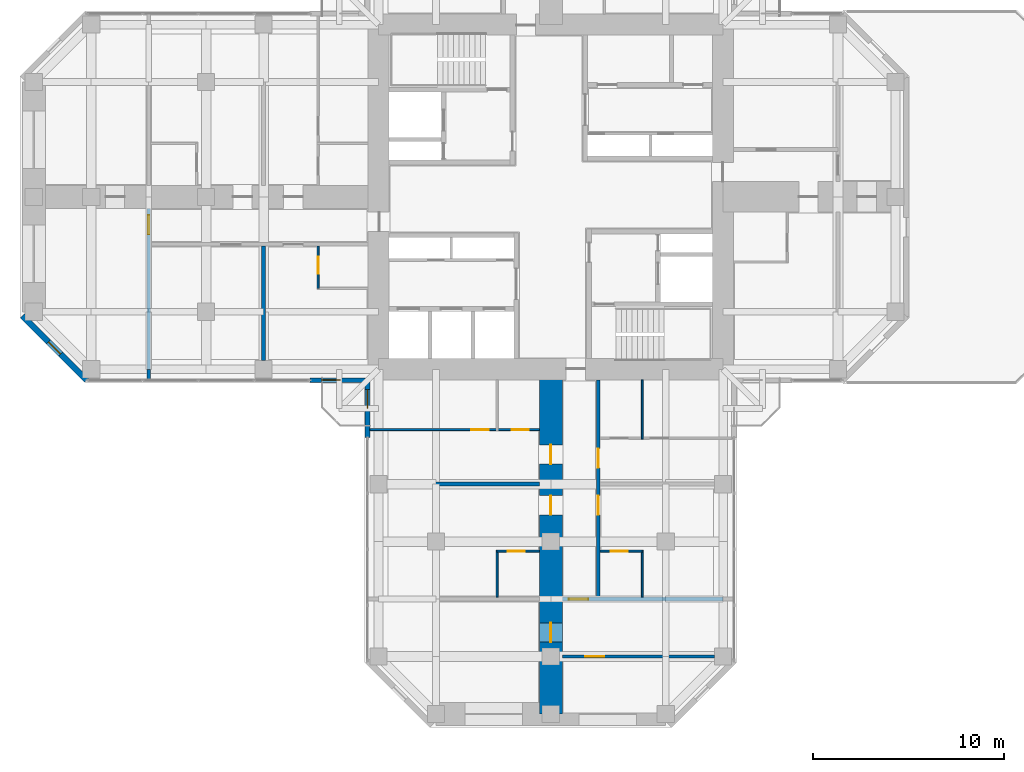
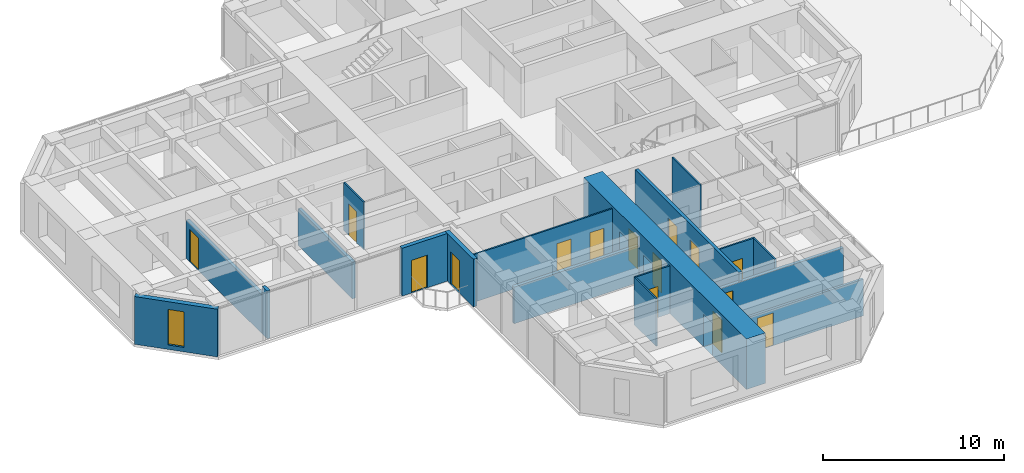
# One storey, part 8 of 14: 18 walls, 15 doors, 1 window, 16 openings.
"""IFC4 building model written with IfcOpenShell, lengths in metres."""

import ifcopenshell
import ifcopenshell.guid

model = None  # the IFC model being written
_history = None  # IfcOwnerHistory: only IFC2X3 demands one
_inside = {}  # id of a spatial element -> (the spatial element, [elements in it])
_under = {}  # id of a project, library or spatial element -> (it, [spatial elements below it])
_declared = {}  # id of a project -> (the project, [libraries it declares])
_typed = {}  # id of a type object -> (the type object, [elements of that type])
_made_of = {}  # id of a material, layer set ... -> (it, [elements and type objects made of it])


def new_model(schema):
    """Start an empty IFC model of exactly this schema.

    Asked for "IFC4X3", IfcOpenShell would pick the latest addendum, in which some entities
    have other attributes; the version numbers below select the first issue.
    IFC2X3 requires an IfcOwnerHistory on every rooted entity: one is made here for all.
    """
    global model, _history
    if schema == "IFC4X3":
        model = ifcopenshell.file(schema_version=(4, 3, 0, 0))
    else:
        model = ifcopenshell.file(schema=schema)
    _inside.clear()
    _under.clear()
    _declared.clear()
    _typed.clear()
    _made_of.clear()
    _history = None
    if model.schema == "IFC2X3":
        org = make("IfcOrganization", Name="unknown")
        user = make(
            "IfcPersonAndOrganization",
            ThePerson=make("IfcPerson", FamilyName="unknown"),
            TheOrganization=org,
        )
        app = make(
            "IfcApplication",
            ApplicationDeveloper=org,
            Version="unknown",
            ApplicationFullName="unknown",
            ApplicationIdentifier="unknown",
        )
        _history = make(
            "IfcOwnerHistory",
            OwningUser=user,
            OwningApplication=app,
            ChangeAction="ADDED",
            CreationDate=0,
        )
    return model


def make(cls, **values):
    """One entity of the class cls with the attributes given. An attribute that is None is left unset."""
    return model.create_entity(
        cls, **{name: value for name, value in values.items() if value is not None}
    )


def rooted(cls, **values):
    """An entity with a GlobalId (a new one), such as an element, a storey or a relation."""
    return make(cls, GlobalId=ifcopenshell.guid.new(), OwnerHistory=_history, **values)


def si_unit(unit_type, name, prefix=None):
    """IfcSIUnit, for example si_unit("LENGTHUNIT", "METRE", prefix="MILLI")."""
    return make("IfcSIUnit", UnitType=unit_type, Prefix=prefix, Name=name)


def assignment(units):
    """IfcUnitAssignment: the units of a project."""
    return None if units is None else make("IfcUnitAssignment", Units=units)


def point(xyz):
    """IfcCartesianPoint."""
    return None if xyz is None else make("IfcCartesianPoint", Coordinates=xyz)


def direction(xyz):
    """IfcDirection."""
    return None if xyz is None else make("IfcDirection", DirectionRatios=xyz)


def frame(location, z_axis=None, x_axis=None):
    """IfcAxis2Placement3D, a coordinate frame: its origin and axes. An axis left out is left unset."""
    return make(
        "IfcAxis2Placement3D",
        Location=point(location),
        Axis=direction(z_axis),
        RefDirection=direction(x_axis),
    )


def frame_2d(location, x_axis=None):
    """IfcAxis2Placement2D, a coordinate frame in the plane: its origin and x axis."""
    return make(
        "IfcAxis2Placement2D", Location=point(location), RefDirection=direction(x_axis)
    )


def origin():
    """The frame at (0, 0, 0) with its axes left unset."""
    return frame((0.0, 0.0, 0.0))


def place(relative_to, where):
    """IfcLocalPlacement: puts the frame where relative to a parent placement (None: the world)."""
    return make(
        "IfcLocalPlacement", PlacementRelTo=relative_to, RelativePlacement=where
    )


def context(
    kind, dimensions, precision=None, world=None, true_north=None, identifier=None
):
    """IfcGeometricRepresentationContext, for example the 3D "Model" context."""
    return make(
        "IfcGeometricRepresentationContext",
        ContextIdentifier=identifier,
        ContextType=kind,
        CoordinateSpaceDimension=dimensions,
        Precision=precision,
        WorldCoordinateSystem=world,
        TrueNorth=true_north,
    )


def subcontext(parent, identifier, kind, view, scale=None):
    """IfcGeometricRepresentationSubContext, for example "Body" below "Model"."""
    return make(
        "IfcGeometricRepresentationSubContext",
        ContextIdentifier=identifier,
        ContextType=kind,
        ParentContext=parent,
        TargetScale=scale,
        TargetView=view,
    )


def project(units=None, contexts=None):
    """IfcProject with its units and contexts."""
    return rooted(
        "IfcProject",
        Name="project",
        RepresentationContexts=contexts,
        UnitsInContext=assignment(units),
    )


def spatial(cls, under=None, at=None, **own):
    """A site, building, storey or space (cls), placed at a placement, below another one or the project."""
    s = rooted(cls, ObjectPlacement=at, **own)
    if under is not None:
        _under.setdefault(under.id(), (under, []))[1].append(s)
    return s


def profile(cls, at=None, kind="AREA", **sizes):
    """A parametric profile (cls). Its sizes go by their IFC names, for example OverallWidth=200.0."""
    return make(cls, ProfileType=kind, Position=at, **sizes)


def rectangle(**sizes):
    """IfcRectangleProfileDef."""
    return profile("IfcRectangleProfileDef", **sizes)


def hollow_rectangle(**sizes):
    """IfcRectangleHollowProfileDef."""
    return profile("IfcRectangleHollowProfileDef", **sizes)


def extrude(swept, where, along, depth):
    """IfcExtrudedAreaSolid: the profile swept, set in the frame where, extruded along a direction by depth."""
    return make(
        "IfcExtrudedAreaSolid",
        SweptArea=swept,
        Position=where,
        ExtrudedDirection=direction(along),
        Depth=depth,
    )


def shape(context_of_items, identifier, shape_type, items):
    """IfcShapeRepresentation: the items that make up one representation, for example the "Body"."""
    return make(
        "IfcShapeRepresentation",
        ContextOfItems=context_of_items,
        RepresentationIdentifier=identifier,
        RepresentationType=shape_type,
        Items=items,
    )


def material(Name=None, Category=None):
    """IfcMaterial."""
    return make("IfcMaterial", Name=Name, Category=Category)


def layer(
    of_material, thickness, ventilated=None, Name=None, Category=None, Priority=None
):
    """IfcMaterialLayer: one layer of a wall or slab, of a material (None: an air gap)."""
    return make(
        "IfcMaterialLayer",
        Material=of_material,
        LayerThickness=thickness,
        IsVentilated=ventilated,
        Name=Name,
        Category=Category,
        Priority=Priority,
    )


def layer_set(layers, Name=None):
    """IfcMaterialLayerSet."""
    return make("IfcMaterialLayerSet", MaterialLayers=layers, LayerSetName=Name)


def constituent(of_material, Name=None, Category=None, fraction=None):
    """IfcMaterialConstituent: one of the materials an element consists of."""
    return make(
        "IfcMaterialConstituent",
        Name=Name,
        Material=of_material,
        Fraction=fraction,
        Category=Category,
    )


def constituent_set(constituents=None, Name=None):
    """IfcMaterialConstituentSet."""
    return make(
        "IfcMaterialConstituentSet", Name=Name, MaterialConstituents=constituents
    )


def made_of(thing, what):
    """Note that an element or type object is made of a material, layer set ...; save() writes the relation."""
    if what is not None:
        _made_of.setdefault(what.id(), (what, []))[1].append(thing)
    return thing


def type_object(cls, material=None, **own):
    """A type object (cls), such as IfcWallType, which elements share."""
    return made_of(rooted(cls, **own), material)


def element(
    cls,
    number,
    at=None,
    inside=None,
    cuts=None,
    type_object=None,
    material=None,
    context=None,
    identifier="Body",
    shape_type=None,
    held_by="IfcProductDefinitionShape",
    body=None,
    shapes=None,
    **own,
):
    """One element of the class cls, such as IfcWall. Its Tag is "e" and its number.

    at: its placement. inside: the storey or other place that contains it. cuts: it is an
    opening in that element (IfcRelVoidsElement). A single representation is given by context,
    identifier, shape_type and body (its items); several are given by shapes. held_by: the class
    of the entity that holds the representations. save() writes the other relations.
    """
    e = rooted(cls, Tag="e%d" % number, ObjectPlacement=at, **own)
    if body is not None:
        shapes = [shape(context, identifier, shape_type, body)]
    if shapes is not None:
        e.Representation = make(held_by, Representations=shapes)
    if inside is not None:
        _inside.setdefault(inside.id(), (inside, []))[1].append(e)
    if cuts is not None:
        rooted(
            "IfcRelVoidsElement", RelatingBuildingElement=cuts, RelatedOpeningElement=e
        )
    if type_object is not None:
        _typed.setdefault(type_object.id(), (type_object, []))[1].append(e)
    return made_of(e, material)


def fill(opening, filler):
    """IfcRelFillsElement: the door or window that sits in an opening."""
    return rooted(
        "IfcRelFillsElement",
        RelatingOpeningElement=opening,
        RelatedBuildingElement=filler,
    )


def aggregate(whole, parts):
    """IfcRelAggregates: a whole, such as a stair, and the parts it consists of."""
    return rooted("IfcRelAggregates", RelatingObject=whole, RelatedObjects=parts)


def save(model, path):
    """Write the relations noted so far, then the file.

    IfcRelAggregates (storeys below a building ...), IfcRelContainedInSpatialStructure (elements
    in a storey), IfcRelDefinesByType, IfcRelAssociatesMaterial and IfcRelDeclares: one each for
    every whole, place, type object, material and project.
    """
    for whole, parts in _under.values():
        aggregate(whole, parts)
    for where, things in _inside.values():
        rooted(
            "IfcRelContainedInSpatialStructure",
            RelatedElements=things,
            RelatingStructure=where,
        )
    for kind, things in _typed.values():
        rooted("IfcRelDefinesByType", RelatedObjects=things, RelatingType=kind)
    for what, things in _made_of.values():
        rooted("IfcRelAssociatesMaterial", RelatedObjects=things, RelatingMaterial=what)
    for by, libraries in _declared.values():
        rooted("IfcRelDeclares", RelatingContext=by, RelatedDefinitions=libraries)
    model.write(path)


model = new_model("IFC4")

# Units and contexts
model_context = context("Model", 3, precision=1e-05, world=origin(), true_north=direction((0.0, 1.0)))
body_context = subcontext(model_context, "Body", "Model", "MODEL_VIEW")
ifc_project = project(units=[si_unit("LENGTHUNIT", "METRE"), si_unit("AREAUNIT", "SQUARE_METRE"), si_unit("VOLUMEUNIT", "CUBIC_METRE"), si_unit("PLANEANGLEUNIT", "RADIAN"), si_unit("MASSUNIT", "GRAM", prefix="KILO")], contexts=[model_context])

# Site, building, storey
site_placement = place(None, origin())
site = spatial("IfcSite", under=ifc_project, at=site_placement, CompositionType="ELEMENT")
building_placement = place(site_placement, origin())
building = spatial("IfcBuilding", under=site, at=building_placement, Name="Torre Cruceta", CompositionType="ELEMENT")
storey_placement = place(building_placement, frame((0.0, 0.0, 169.5)))
storey = spatial("IfcBuildingStorey", under=building, at=storey_placement, Name="L41", CompositionType="ELEMENT", Elevation=169.5)

# Wall
ifc_material_1 = material(Name="Water-resistant plasterboard on steel studs", Category="steel")
ifc_layer_1 = layer(ifc_material_1, 0.10009765625)
ifc_layer_set_1 = layer_set([ifc_layer_1], Name="Water-resistant plasterboard on steel studs")
wall_type_1 = type_object("IfcWallType", Name="BATHROOM WALL 100", PredefinedType="PARTITIONING", material=ifc_layer_set_1)
wall_1_placement = place(storey_placement, frame((4.77490234375, -9.550048828125, 0.0), z_axis=(0.0, 0.0, 1.0), x_axis=(0.0, -1.0, 0.0)))
element("IfcWall", 1, at=wall_1_placement, inside=storey, type_object=wall_type_1, Name="PT4 L41-S-U1LBB", PredefinedType="PARTITIONING", context=body_context, shape_type="SweptSolid", body=[
    extrude(rectangle(XDim=3.099853515625, YDim=0.10009765625, at=frame_2d((1.5498046875, 0.0))), origin(), (0.0, 0.0, 1.0), 3.219970703125),
])

# Wall, openings, doors
wall_2_placement = place(storey_placement, frame((-9.445068359375, -12.14990234375, 0.0), z_axis=(0.0, 0.0, 1.0), x_axis=(1.0, 0.0, 0.0)))
wall_2 = element("IfcWall", 2, at=wall_2_placement, inside=storey, type_object=wall_type_1, Name="PT4 L41-S-U1RBS", PredefinedType="PARTITIONING", context=body_context, shape_type="SweptSolid", body=[
    extrude(rectangle(XDim=8.844970703125, YDim=0.10009765625, at=frame_2d((4.42236328125, 0.0))), origin(), (0.0, 0.0, 1.0), 3.219970703125),
])
opening_1_placement = place(wall_2_placement, frame((5.294921875, 0.0, 0.0)))
opening_1 = element("IfcOpeningElement", 3, at=opening_1_placement, cuts=wall_2, Name="Opening D7", PredefinedType="OPENING", context=body_context, shape_type="SweptSolid", body=[
    extrude(rectangle(XDim=0.89990234375, YDim=2.10009765625, at=frame_2d((0.449951171875, 1.050048828125))), frame((0.0, 0.06005859375, 0.0), z_axis=(0.0, -1.0, 0.0), x_axis=(1.0, 0.0, 0.0)), (0.0, 0.0, 1.0), 0.1201171875),
])
opening_2_placement = place(wall_2_placement, frame((7.39501953125, 0.0, 0.0)))
opening_2 = element("IfcOpeningElement", 4, at=opening_2_placement, cuts=wall_2, Name="Opening D7", PredefinedType="OPENING", context=body_context, shape_type="SweptSolid", body=[
    extrude(rectangle(XDim=0.89990234375, YDim=2.10009765625, at=frame_2d((0.449951171875, 1.050048828125))), frame((0.0, 0.06005859375, 0.0), z_axis=(0.0, -1.0, 0.0), x_axis=(1.0, 0.0, 0.0)), (0.0, 0.0, 1.0), 0.1201171875),
])
ifc_material_2 = material(Name="Timber door", Category="wood")
door_type_1 = type_object("IfcDoorType", Name="BATHROOM DOOR 900X2100", OperationType="SINGLE_SWING_LEFT", PredefinedType="DOOR", material=ifc_material_2)
door_1_placement = place(opening_1_placement, origin())
door_1 = element("IfcDoor", 5, at=door_1_placement, inside=storey, type_object=door_type_1, Name="D7 L41-S-U1RBS-D1", OperationType="SINGLE_SWING_RIGHT", OverallHeight=2.10009765625, OverallWidth=0.89990234375, PredefinedType="DOOR", context=body_context, shape_type="SweptSolid", body=[
    extrude(rectangle(XDim=0.89990234375, YDim=2.10009765625, at=frame_2d((0.449951171875, 1.050048828125))), frame((0.0, 0.02490234375, 0.0), z_axis=(0.0, -1.0, 0.0), x_axis=(1.0, 0.0, 0.0)), (0.0, 0.0, 1.0), 0.050048828125),
])
fill(opening_1, door_1)
door_2_placement = place(opening_2_placement, origin())
door_2 = element("IfcDoor", 6, at=door_2_placement, inside=storey, type_object=door_type_1, Name="D7 L41-S-U1RBS-D2", OperationType="SINGLE_SWING_RIGHT", OverallHeight=2.10009765625, OverallWidth=0.89990234375, PredefinedType="DOOR", context=body_context, shape_type="SweptSolid", body=[
    extrude(rectangle(XDim=0.89990234375, YDim=2.10009765625, at=frame_2d((0.449951171875, 1.050048828125))), frame((0.0, 0.02490234375, 0.0), z_axis=(0.0, -1.0, 0.0), x_axis=(1.0, 0.0, 0.0)), (0.0, 0.0, 1.0), 0.050048828125),
])
fill(opening_2, door_2)

# Wall
wall_3_placement = place(storey_placement, frame((4.77490234375, -18.449951171875, 0.0), z_axis=(0.0, 0.0, 1.0), x_axis=(0.0, -1.0, 0.0)))
element("IfcWall", 7, at=wall_3_placement, inside=storey, type_object=wall_type_1, Name="PT4 L41-S-U2LBB", PredefinedType="PARTITIONING", context=body_context, shape_type="SweptSolid", body=[
    extrude(rectangle(XDim=2.449951171875, YDim=0.10009765625, at=frame_2d((1.22509765625, 0.0))), origin(), (0.0, 0.0, 1.0), 3.219970703125),
])

# Wall, opening, door
wall_4_placement = place(storey_placement, frame((2.574951171875, -18.5, 0.0), z_axis=(0.0, 0.0, 1.0), x_axis=(1.0, 0.0, 0.0)))
wall_4 = element("IfcWall", 8, at=wall_4_placement, inside=storey, type_object=wall_type_1, Name="PT4 L41-S-U2LBS", PredefinedType="PARTITIONING", context=body_context, shape_type="SweptSolid", body=[
    extrude(rectangle(XDim=2.199951171875, YDim=0.10009765625, at=frame_2d((1.10009765625, 0.0))), origin(), (0.0, 0.0, 1.0), 3.219970703125),
])
opening_3_placement = place(wall_4_placement, frame((0.550048828125, 0.0, 0.0)))
opening_3 = element("IfcOpeningElement", 9, at=opening_3_placement, cuts=wall_4, Name="Opening D7", PredefinedType="OPENING", context=body_context, shape_type="SweptSolid", body=[
    extrude(rectangle(XDim=0.89990234375, YDim=2.10009765625, at=frame_2d((0.449951171875, 1.050048828125))), frame((0.0, 0.06005859375, 0.0), z_axis=(0.0, -1.0, 0.0), x_axis=(1.0, 0.0, 0.0)), (0.0, 0.0, 1.0), 0.1201171875),
])
door_3_placement = place(opening_3_placement, frame((0.89990234375, 0.0, 0.0), z_axis=(0.0, 0.0, 1.0), x_axis=(-1.0, 0.0, 0.0)))
door_3 = element("IfcDoor", 10, at=door_3_placement, inside=storey, type_object=door_type_1, Name="D7 L41-S-U2LBS-D1", OperationType="SINGLE_SWING_RIGHT", OverallHeight=2.10009765625, OverallWidth=0.89990234375, PredefinedType="DOOR", context=body_context, shape_type="SweptSolid", body=[
    extrude(rectangle(XDim=0.89990234375, YDim=2.10009765625, at=frame_2d((0.449951171875, 1.050048828125))), frame((0.0, 0.025146484375, 0.0), z_axis=(0.0, -1.0, 0.0), x_axis=(1.0, 0.0, 0.0)), (0.0, 0.0, 1.0), 0.050048828125),
])
fill(opening_3, door_3)

# Wall
wall_5_placement = place(storey_placement, frame((-2.800048828125, -18.449951171875, 0.0), z_axis=(0.0, 0.0, 1.0), x_axis=(0.0, -1.0, 0.0)))
element("IfcWall", 11, at=wall_5_placement, inside=storey, type_object=wall_type_1, Name="PT4 L41-S-U2RBB", PredefinedType="PARTITIONING", context=body_context, shape_type="SweptSolid", body=[
    extrude(rectangle(XDim=2.449951171875, YDim=0.10009765625, at=frame_2d((1.22509765625, 0.0))), origin(), (0.0, 0.0, 1.0), 3.219970703125),
])

# Wall, opening, door
wall_6_placement = place(storey_placement, frame((-2.800048828125, -18.5, 0.0), z_axis=(0.0, 0.0, 1.0), x_axis=(1.0, 0.0, 0.0)))
wall_6 = element("IfcWall", 12, at=wall_6_placement, inside=storey, type_object=wall_type_1, Name="PT4 L41-S-U2RBS", PredefinedType="PARTITIONING", context=body_context, shape_type="SweptSolid", body=[
    extrude(rectangle(XDim=2.199951171875, YDim=0.10009765625, at=frame_2d((1.10009765625, 0.0))), origin(), (0.0, 0.0, 1.0), 3.219970703125),
])
opening_4_placement = place(wall_6_placement, frame((0.550048828125, 0.0, 0.0)))
opening_4 = element("IfcOpeningElement", 13, at=opening_4_placement, cuts=wall_6, Name="Opening D7", PredefinedType="OPENING", context=body_context, shape_type="SweptSolid", body=[
    extrude(rectangle(XDim=0.89990234375, YDim=2.10009765625, at=frame_2d((0.449951171875, 1.050048828125))), frame((0.0, 0.06005859375, 0.0), z_axis=(0.0, -1.0, 0.0), x_axis=(1.0, 0.0, 0.0)), (0.0, 0.0, 1.0), 0.1201171875),
])
door_4_placement = place(opening_4_placement, frame((0.89990234375, 0.0, 0.0), z_axis=(0.0, 0.0, 1.0), x_axis=(-1.0, 0.0, 0.0)))
door_4 = element("IfcDoor", 14, at=door_4_placement, inside=storey, type_object=door_type_1, Name="D7 L41-S-U2RBS-D1", OperationType="SINGLE_SWING_RIGHT", OverallHeight=2.10009765625, OverallWidth=0.89990234375, PredefinedType="DOOR", context=body_context, shape_type="SweptSolid", body=[
    extrude(rectangle(XDim=0.89990234375, YDim=2.10009765625, at=frame_2d((0.449951171875, 1.050048828125))), frame((0.0, 0.025146484375, 0.0), z_axis=(0.0, -1.0, 0.0), x_axis=(1.0, 0.0, 0.0)), (0.0, 0.0, 1.0), 0.050048828125),
])
fill(opening_4, door_4)

wall_7_placement = place(storey_placement, frame((-12.14990234375, -2.574951171875, 0.0), z_axis=(0.0, 0.0, 1.0), x_axis=(0.0, -1.0, 0.0)))
wall_7 = element("IfcWall", 15, at=wall_7_placement, inside=storey, type_object=wall_type_1, Name="PT4 L41-W-U1LBS", PredefinedType="PARTITIONING", context=body_context, shape_type="SweptSolid", body=[
    extrude(rectangle(XDim=2.199951171875, YDim=0.10009765625, at=frame_2d((1.10009765625, 0.0))), origin(), (0.0, 0.0, 1.0), 3.219970703125),
])
opening_5_placement = place(wall_7_placement, frame((0.550048828125, 0.0, 0.0)))
opening_5 = element("IfcOpeningElement", 16, at=opening_5_placement, cuts=wall_7, Name="Opening D7", PredefinedType="OPENING", context=body_context, shape_type="SweptSolid", body=[
    extrude(rectangle(XDim=0.89990234375, YDim=2.10009765625, at=frame_2d((0.449951171875, 1.050048828125))), frame((0.0, 0.06005859375, 0.0), z_axis=(0.0, -1.0, 0.0), x_axis=(1.0, 0.0, 0.0)), (0.0, 0.0, 1.0), 0.1201171875),
])
door_5_placement = place(opening_5_placement, origin())
door_5 = element("IfcDoor", 17, at=door_5_placement, inside=storey, type_object=door_type_1, Name="D7 L41-W-U1LBS-D1", OperationType="SINGLE_SWING_LEFT", OverallHeight=2.10009765625, OverallWidth=0.89990234375, PredefinedType="DOOR", context=body_context, shape_type="SweptSolid", body=[
    extrude(rectangle(XDim=0.89990234375, YDim=2.10009765625, at=frame_2d((0.449951171875, 1.050048828125))), frame((0.0, 0.02490234375, 0.0), z_axis=(0.0, -1.0, 0.0), x_axis=(1.0, 0.0, 0.0)), (0.0, 0.0, 1.0), 0.050048828125),
])
fill(opening_5, door_5)

# Wall, openings, doors
ifc_material_3 = material(Name="Concrete G25 (fck 25 MPa)", Category="concrete")
ifc_layer_2 = layer(ifc_material_3, 0.199951171875)
ifc_layer_set_2 = layer_set([ifc_layer_2], Name="Concrete G25 (fck 25 MPa)")
wall_type_2 = type_object("IfcWallType", Name="CORRIDOR WALL 200", PredefinedType="SOLIDWALL", material=ifc_layer_set_2)
wall_8_placement = place(storey_placement, frame((2.47509765625, -9.550048828125, 0.0), z_axis=(0.0, 0.0, 1.0), x_axis=(0.0, -1.0, 0.0)))
wall_8 = element("IfcWall", 18, at=wall_8_placement, inside=storey, type_object=wall_type_2, Name="PT3 L41-S-CL", PredefinedType="SOLIDWALL", context=body_context, shape_type="SweptSolid", body=[
    extrude(rectangle(XDim=11.449951171875, YDim=0.199951171875, at=frame_2d((5.72509765625, 0.0))), origin(), (0.0, 0.0, 1.0), 3.219970703125),
])
opening_6_placement = place(wall_8_placement, frame((3.60009765625, 0.0, 0.0)))
opening_6 = element("IfcOpeningElement", 19, at=opening_6_placement, cuts=wall_8, Name="Opening D6", PredefinedType="OPENING", context=body_context, shape_type="SweptSolid", body=[
    extrude(rectangle(XDim=1.0, YDim=2.14990234375, at=frame_2d((0.5, 1.074951171875))), frame((0.0, 0.10986328125, 0.0), z_axis=(0.0, -1.0, 0.0), x_axis=(1.0, 0.0, 0.0)), (0.0, 0.0, 1.0), 0.219970703125),
])
opening_7_placement = place(wall_8_placement, frame((6.050048828125, 0.0, 0.0)))
opening_7 = element("IfcOpeningElement", 20, at=opening_7_placement, cuts=wall_8, Name="Opening D6", PredefinedType="OPENING", context=body_context, shape_type="SweptSolid", body=[
    extrude(rectangle(XDim=1.0, YDim=2.14990234375, at=frame_2d((0.5, 1.074951171875))), frame((0.0, 0.10986328125, 0.0), z_axis=(0.0, -1.0, 0.0), x_axis=(1.0, 0.0, 0.0)), (0.0, 0.0, 1.0), 0.219970703125),
])
ifc_material_4 = material(Name="Timber fire door", Category="wood")
door_type_2 = type_object("IfcDoorType", Name="UNIT ENTRANCE DOOR 1000X2150", OperationType="SINGLE_SWING_LEFT", PredefinedType="DOOR", material=ifc_material_4)
door_6_placement = place(opening_6_placement, origin())
door_6 = element("IfcDoor", 21, at=door_6_placement, inside=storey, type_object=door_type_2, Name="D6 L41-S-CL-D1", OperationType="SINGLE_SWING_LEFT", OverallHeight=2.14990234375, OverallWidth=1.0, PredefinedType="DOOR", context=body_context, shape_type="SweptSolid", body=[
    extrude(rectangle(XDim=1.0, YDim=2.14990234375, at=frame_2d((0.5, 1.074951171875))), frame((0.0, 0.02490234375, 0.0), z_axis=(0.0, -1.0, 0.0), x_axis=(1.0, 0.0, 0.0)), (0.0, 0.0, 1.0), 0.050048828125),
])
fill(opening_6, door_6)
door_7_placement = place(opening_7_placement, origin())
door_7 = element("IfcDoor", 22, at=door_7_placement, inside=storey, type_object=door_type_2, Name="D6 L41-S-CL-D2", OperationType="SINGLE_SWING_LEFT", OverallHeight=2.14990234375, OverallWidth=1.0, PredefinedType="DOOR", context=body_context, shape_type="SweptSolid", body=[
    extrude(rectangle(XDim=1.0, YDim=2.14990234375, at=frame_2d((0.5, 1.074951171875))), frame((0.0, 0.02490234375, 0.0), z_axis=(0.0, -1.0, 0.0), x_axis=(1.0, 0.0, 0.0)), (0.0, 0.0, 1.0), 0.050048828125),
])
fill(opening_7, door_7)

# Wall, opening, window
ifc_material_5 = material(Name="Concrete G30 (fck 30 MPa)", Category="concrete")
ifc_layer_3 = layer(ifc_material_5, 0.300048828125)
ifc_layer_set_3 = layer_set([ifc_layer_3], Name="Concrete G30 (fck 30 MPa)")
wall_type_3 = type_object("IfcWallType", Name="EXPOSED CONCRETE FACADE WALL 300", PredefinedType="SOLIDWALL", material=ifc_layer_set_3)
wall_9_placement = place(storey_placement, frame((-27.60009765625, -6.2060546875, 0.0), z_axis=(0.0, 0.0, 1.0), x_axis=(0.707106781187, -0.707106781187, 0.0)))
wall_9 = element("IfcWall", 23, at=wall_9_placement, inside=storey, type_object=wall_type_3, Name="EW1 facade wall L41 W chamfer 13", PredefinedType="SOLIDWALL", context=body_context, shape_type="SweptSolid", body=[
    extrude(rectangle(XDim=4.75732421875, YDim=0.300048828125, at=frame_2d((2.378662109375, 0.0))), origin(), (0.0, 0.0, 1.0), 3.219970703125),
])
opening_8_placement = place(wall_9_placement, frame((1.9287109375, 0.0, 0.300048828125)))
opening_8 = element("IfcOpeningElement", 24, at=opening_8_placement, cuts=wall_9, Name="Opening WN5", PredefinedType="OPENING", context=body_context, shape_type="SweptSolid", body=[
    extrude(rectangle(XDim=0.89990234375, YDim=2.39990234375, at=frame_2d((0.449951171875, 1.199951171875))), frame((0.0, 0.159912109375, 0.0), z_axis=(0.0, -1.0, 0.0), x_axis=(1.0, 0.0, 0.0)), (0.0, 0.0, 1.0), 0.320068359375),
])
ifc_material_6 = material(Name="Aluminium window frame", Category="aluminium")
ifc_constituent_1 = constituent(ifc_material_6, Name="Frame")
ifc_material_7 = material(Name="Laminated insulating glass unit, low-iron clear", Category="glass")
ifc_constituent_2 = constituent(ifc_material_7, Name="Glazing")
ifc_constituent_set_1 = constituent_set(constituents=[ifc_constituent_1, ifc_constituent_2], Name="Aluminium window")
window_type = type_object("IfcWindowType", Name="CHAMFER SLOT WINDOW 900X2400", PartitioningType="SINGLE_PANEL", PredefinedType="WINDOW", material=ifc_constituent_set_1)
window_placement = place(opening_8_placement, origin())
window = element("IfcWindow", 25, at=window_placement, inside=storey, type_object=window_type, Name="WN5 L41 W 1", OverallHeight=2.39990234375, OverallWidth=0.89990234375, PartitioningType="SINGLE_PANEL", PredefinedType="WINDOW", context=body_context, shape_type="SweptSolid", body=[
    extrude(hollow_rectangle(XDim=0.89990234375, YDim=2.39990234375, WallThickness=0.06005859375, at=frame_2d((0.449951171875, 1.199951171875))), frame((0.0, 0.030029296875, 0.0), z_axis=(0.0, -1.0, 0.0), x_axis=(1.0, 0.0, 0.0)), (0.0, 0.0, 1.0), 0.06005859375),
    extrude(rectangle(XDim=0.77880859375, YDim=2.27880859375, at=frame_2d((0.449951171875, 1.199951171875))), frame((0.0, 0.030029296875, 0.0), z_axis=(0.0, -1.0, 0.0), x_axis=(1.0, 0.0, 0.0)), (0.0, 0.0, 1.0), 0.06005859375),
])
fill(opening_8, window)

# Wall, opening, door
ifc_material_8 = material(Name="Plasterboard on steel studs", Category="steel")
ifc_layer_4 = layer(ifc_material_8, 0.14990234375)
ifc_layer_set_4 = layer_set([ifc_layer_4], Name="Plasterboard on steel studs")
wall_type_4 = type_object("IfcWallType", Name="PARTITION 150", PredefinedType="PARTITIONING", material=ifc_layer_set_4)
wall_10_placement = place(storey_placement, frame((0.60009765625, -24.0, 0.0), z_axis=(0.0, 0.0, 1.0), x_axis=(1.0, 0.0, 0.0)))
wall_10 = element("IfcWall", 26, at=wall_10_placement, inside=storey, type_object=wall_type_4, Name="PT1 L41-S-ENDX", PredefinedType="PARTITIONING", context=body_context, shape_type="SweptSolid", body=[
    extrude(rectangle(XDim=7.949951171875, YDim=0.14990234375, at=frame_2d((3.97509765625, 0.0))), origin(), (0.0, 0.0, 1.0), 2.469970703125),
])
opening_9_placement = place(wall_10_placement, frame((1.199951171875, 0.0, 0.0)))
opening_9 = element("IfcOpeningElement", 27, at=opening_9_placement, cuts=wall_10, Name="Opening D14", PredefinedType="OPENING", context=body_context, shape_type="SweptSolid", body=[
    extrude(rectangle(XDim=1.0, YDim=2.199951171875, at=frame_2d((0.5, 1.10009765625))), frame((0.0, 0.0849609375, 0.0), z_axis=(0.0, -1.0, 0.0), x_axis=(1.0, 0.0, 0.0)), (0.0, 0.0, 1.0), 0.169921875),
])
ifc_material_9 = material(Name="Steel DX51D", Category="steel")
ifc_constituent_3 = constituent(ifc_material_9, Name="Leaf and frame")
ifc_material_10 = material(Name="Polyester powder coating", Category="paint")
ifc_constituent_4 = constituent(ifc_material_10, Name="Finish")
ifc_material_11 = material(Name="Fire-resisting glass", Category="glass")
ifc_constituent_5 = constituent(ifc_material_11, Name="Vision panel")
ifc_constituent_set_2 = constituent_set(constituents=[ifc_constituent_3, ifc_constituent_4, ifc_constituent_5], Name="Steel fire door with vision panel")
door_type_3 = type_object("IfcDoorType", Name="FIRE DOOR VISION PANEL 1000X2200", OperationType="SINGLE_SWING_RIGHT", PredefinedType="DOOR", material=ifc_constituent_set_2)
door_8_placement = place(opening_9_placement, frame((1.0, 0.0, 0.0), z_axis=(0.0, 0.0, 1.0), x_axis=(-1.0, 0.0, 0.0)))
door_8 = element("IfcDoor", 28, at=door_8_placement, inside=storey, type_object=door_type_3, Name="D14 L41-S-ENDX-D1", OperationType="SINGLE_SWING_RIGHT", OverallHeight=2.199951171875, OverallWidth=1.0, PredefinedType="DOOR", context=body_context, shape_type="SweptSolid", body=[
    extrude(rectangle(XDim=1.0, YDim=2.199951171875, at=frame_2d((0.5, 1.10009765625))), frame((0.0, 0.025146484375, 0.0), z_axis=(0.0, -1.0, 0.0), x_axis=(1.0, 0.0, 0.0)), (0.0, 0.0, 1.0), 0.050048828125),
])
fill(opening_9, door_8)

# Wall, openings, doors
ifc_material_12 = material(Name="Concrete G60 (fck 60 MPa)", Category="concrete")
ifc_layer_5 = layer(ifc_material_12, 1.199951171875)
ifc_layer_set_5 = layer_set([ifc_layer_5], Name="Concrete G60 (fck 60 MPa)")
wall_type_5 = type_object("IfcWallType", Name="SPINE WALL 1200 G60", PredefinedType="SHEAR", material=ifc_layer_set_5)
wall_11_placement = place(storey_placement, frame((0.0, -9.0, 0.0), z_axis=(0.0, 0.0, 1.0), x_axis=(0.0, -1.0, 0.0)))
wall_11 = element("IfcWall", 29, at=wall_11_placement, inside=storey, type_object=wall_type_5, Name="SW3 spine wall L41 S", PredefinedType="SHEAR", context=body_context, shape_type="SweptSolid", body=[
    extrude(rectangle(XDim=18.0, YDim=1.199951171875, at=frame_2d((9.0, 0.0))), origin(), (0.0, 0.0, 1.0), 3.39990234375),
])
opening_10_placement = place(wall_11_placement, frame((3.949951171875, 0.0, 0.0)))
opening_10 = element("IfcOpeningElement", 30, at=opening_10_placement, cuts=wall_11, Name="Opening D6", PredefinedType="OPENING", context=body_context, shape_type="SweptSolid", body=[
    extrude(rectangle(XDim=1.0, YDim=2.14990234375, at=frame_2d((0.5, 1.074951171875))), frame((0.0, 0.60986328125, 0.0), z_axis=(0.0, -1.0, 0.0), x_axis=(1.0, 0.0, 0.0)), (0.0, 0.0, 1.0), 1.219970703125),
])
opening_11_placement = place(wall_11_placement, frame((6.60009765625, 0.0, 0.0)))
opening_11 = element("IfcOpeningElement", 31, at=opening_11_placement, cuts=wall_11, Name="Opening D6", PredefinedType="OPENING", context=body_context, shape_type="SweptSolid", body=[
    extrude(rectangle(XDim=1.0, YDim=2.14990234375, at=frame_2d((0.5, 1.074951171875))), frame((0.0, 0.60986328125, 0.0), z_axis=(0.0, -1.0, 0.0), x_axis=(1.0, 0.0, 0.0)), (0.0, 0.0, 1.0), 1.219970703125),
])
opening_12_placement = place(wall_11_placement, frame((13.25, 0.0, 0.0)))
opening_12 = element("IfcOpeningElement", 32, at=opening_12_placement, cuts=wall_11, Name="Opening D14", PredefinedType="OPENING", context=body_context, shape_type="SweptSolid", body=[
    extrude(rectangle(XDim=1.0, YDim=2.199951171875, at=frame_2d((0.5, 1.10009765625))), frame((0.0, 0.60986328125, 0.0), z_axis=(0.0, -1.0, 0.0), x_axis=(1.0, 0.0, 0.0)), (0.0, 0.0, 1.0), 1.219970703125),
])
door_9_placement = place(opening_12_placement, origin())
door_9 = element("IfcDoor", 33, at=door_9_placement, inside=storey, type_object=door_type_3, Name="D14 L41-S-SP3", OperationType="SINGLE_SWING_RIGHT", OverallHeight=2.199951171875, OverallWidth=1.0, PredefinedType="DOOR", context=body_context, shape_type="SweptSolid", body=[
    extrude(rectangle(XDim=1.0, YDim=2.199951171875, at=frame_2d((0.5, 1.10009765625))), frame((0.0, 0.02490234375, 0.0), z_axis=(0.0, -1.0, 0.0), x_axis=(1.0, 0.0, 0.0)), (0.0, 0.0, 1.0), 0.050048828125),
])
fill(opening_12, door_9)
door_10_placement = place(opening_10_placement, frame((1.0, 0.0, 0.0), z_axis=(0.0, 0.0, 1.0), x_axis=(-1.0, 0.0, 0.0)))
door_10 = element("IfcDoor", 34, at=door_10_placement, inside=storey, type_object=door_type_2, Name="D6 L41-S-SP1", OperationType="SINGLE_SWING_RIGHT", OverallHeight=2.14990234375, OverallWidth=1.0, PredefinedType="DOOR", context=body_context, shape_type="SweptSolid", body=[
    extrude(rectangle(XDim=1.0, YDim=2.14990234375, at=frame_2d((0.5, 1.074951171875))), frame((0.0, 0.025146484375, 0.0), z_axis=(0.0, -1.0, 0.0), x_axis=(1.0, 0.0, 0.0)), (0.0, 0.0, 1.0), 0.050048828125),
])
fill(opening_10, door_10)
door_11_placement = place(opening_11_placement, frame((1.0, 0.0, 0.0), z_axis=(0.0, 0.0, 1.0), x_axis=(-1.0, 0.0, 0.0)))
door_11 = element("IfcDoor", 35, at=door_11_placement, inside=storey, type_object=door_type_2, Name="D6 L41-S-SP2", OperationType="SINGLE_SWING_RIGHT", OverallHeight=2.14990234375, OverallWidth=1.0, PredefinedType="DOOR", context=body_context, shape_type="SweptSolid", body=[
    extrude(rectangle(XDim=1.0, YDim=2.14990234375, at=frame_2d((0.5, 1.074951171875))), frame((0.0, 0.025146484375, 0.0), z_axis=(0.0, -1.0, 0.0), x_axis=(1.0, 0.0, 0.0)), (0.0, 0.0, 1.0), 0.050048828125),
])
fill(opening_11, door_11)

# Wall
ifc_material_13 = material(Name="Concrete G25 (fck 25 MPa)", Category="concrete")
ifc_layer_6 = layer(ifc_material_13, 0.199951171875)
ifc_layer_set_6 = layer_set([ifc_layer_6], Name="Concrete G25 (fck 25 MPa)")
wall_type_6 = type_object("IfcWallType", Name="UNIT SEPARATING WALL 200", PredefinedType="SOLIDWALL", material=ifc_layer_set_6)
wall_12_placement = place(storey_placement, frame((-8.550048828125, -15.0, 0.0), z_axis=(0.0, 0.0, 1.0), x_axis=(1.0, 0.0, 0.0)))
element("IfcWall", 36, at=wall_12_placement, inside=storey, type_object=wall_type_6, Name="PT2 L41-S-P1R", PredefinedType="SOLIDWALL", context=body_context, shape_type="SweptSolid", body=[
    extrude(rectangle(XDim=7.949951171875, YDim=0.199951171875, at=frame_2d((3.97509765625, 0.0))), origin(), (0.0, 0.0, 1.0), 2.469970703125),
])

# Wall, opening, door
wall_13_placement = place(storey_placement, frame((0.60009765625, -21.0, 0.0), z_axis=(0.0, 0.0, 1.0), x_axis=(1.0, 0.0, 0.0)))
wall_13 = element("IfcWall", 37, at=wall_13_placement, inside=storey, type_object=wall_type_6, Name="PT2 L41-S-ENDb", PredefinedType="SOLIDWALL", context=body_context, shape_type="SweptSolid", body=[
    extrude(rectangle(XDim=8.39990234375, YDim=0.199951171875, at=frame_2d((4.199951171875, 0.0))), origin(), (0.0, 0.0, 1.0), 2.6201171875),
])
opening_13_placement = place(wall_13_placement, frame((0.35009765625, 0.0, 0.0)))
opening_13 = element("IfcOpeningElement", 38, at=opening_13_placement, cuts=wall_13, Name="Opening D14", PredefinedType="OPENING", context=body_context, shape_type="SweptSolid", body=[
    extrude(rectangle(XDim=1.0, YDim=2.199951171875, at=frame_2d((0.5, 1.10009765625))), frame((0.0, 0.10986328125, 0.0), z_axis=(0.0, -1.0, 0.0), x_axis=(1.0, 0.0, 0.0)), (0.0, 0.0, 1.0), 0.219970703125),
])
door_12_placement = place(opening_13_placement, frame((1.0, 0.0, 0.0), z_axis=(0.0, 0.0, 1.0), x_axis=(-1.0, 0.0, 0.0)))
door_12 = element("IfcDoor", 39, at=door_12_placement, inside=storey, type_object=door_type_3, Name="D14 L41-S-ENDb-D1", OperationType="SINGLE_SWING_RIGHT", OverallHeight=2.199951171875, OverallWidth=1.0, PredefinedType="DOOR", context=body_context, shape_type="SweptSolid", body=[
    extrude(rectangle(XDim=1.0, YDim=2.199951171875, at=frame_2d((0.5, 1.10009765625))), frame((0.0, 0.025146484375, 0.0), z_axis=(0.0, -1.0, 0.0), x_axis=(1.0, 0.0, 0.0)), (0.0, 0.0, 1.0), 0.050048828125),
])
fill(opening_13, door_12)

# Wall
wall_14_placement = place(storey_placement, frame((-15.0, -2.574951171875, 0.0), z_axis=(0.0, 0.0, 1.0), x_axis=(0.0, -1.0, 0.0)))
element("IfcWall", 40, at=wall_14_placement, inside=storey, type_object=wall_type_6, Name="PT2 L41-W-P1L", PredefinedType="SOLIDWALL", context=body_context, shape_type="SweptSolid", body=[
    extrude(rectangle(XDim=5.97509765625, YDim=0.199951171875, at=frame_2d((2.987548828125, 0.0))), origin(), (0.0, 0.0, 1.0), 2.469970703125),
])

# Wall, opening, door
wall_15_placement = place(storey_placement, frame((-21.0, -0.60009765625, 0.0), z_axis=(0.0, 0.0, 1.0), x_axis=(0.0, -1.0, 0.0)))
wall_15 = element("IfcWall", 41, at=wall_15_placement, inside=storey, type_object=wall_type_6, Name="PT2 L41-W-ENDb", PredefinedType="SOLIDWALL", context=body_context, shape_type="SweptSolid", body=[
    extrude(rectangle(XDim=8.39990234375, YDim=0.199951171875, at=frame_2d((4.199951171875, 0.0))), origin(), (0.0, 0.0, 1.0), 2.6201171875),
])
opening_14_placement = place(wall_15_placement, frame((0.35009765625, 0.0, 0.0)))
opening_14 = element("IfcOpeningElement", 42, at=opening_14_placement, cuts=wall_15, Name="Opening D14", PredefinedType="OPENING", context=body_context, shape_type="SweptSolid", body=[
    extrude(rectangle(XDim=1.0, YDim=2.199951171875, at=frame_2d((0.5, 1.10009765625))), frame((0.0, 0.10986328125, 0.0), z_axis=(0.0, -1.0, 0.0), x_axis=(1.0, 0.0, 0.0)), (0.0, 0.0, 1.0), 0.219970703125),
])
door_13_placement = place(opening_14_placement, frame((1.0, 0.0, 0.0), z_axis=(0.0, 0.0, 1.0), x_axis=(-1.0, 0.0, 0.0)))
door_13 = element("IfcDoor", 43, at=door_13_placement, inside=storey, type_object=door_type_3, Name="D14 L41-W-ENDb-D1", OperationType="SINGLE_SWING_RIGHT", OverallHeight=2.199951171875, OverallWidth=1.0, PredefinedType="DOOR", context=body_context, shape_type="SweptSolid", body=[
    extrude(rectangle(XDim=1.0, YDim=2.199951171875, at=frame_2d((0.5, 1.10009765625))), frame((0.0, 0.025146484375, 0.0), z_axis=(0.0, -1.0, 0.0), x_axis=(1.0, 0.0, 0.0)), (0.0, 0.0, 1.0), 0.050048828125),
])
fill(opening_14, door_13)

# Wall
wall_16_placement = place(storey_placement, frame((-21.0, -9.0, 0.0), z_axis=(0.0, 0.0, 1.0), x_axis=(0.0, -1.0, 0.0)))
element("IfcWall", 44, at=wall_16_placement, inside=storey, type_object=wall_type_6, Name="PT2 L41-W-ENDb 2", PredefinedType="SOLIDWALL", context=body_context, shape_type="SweptSolid", body=[
    extrude(rectangle(XDim=0.530029296875, YDim=0.199951171875, at=frame_2d((0.26513671875, 0.0))), origin(), (0.0, 0.0, 1.0), 3.219970703125),
])

# Wall, opening, door
ifc_material_14 = material(Name="Concrete G30 (fck 30 MPa)", Category="concrete")
ifc_layer_7 = layer(ifc_material_14, 0.25)
ifc_layer_set_7 = layer_set([ifc_layer_7], Name="Concrete G30 (fck 30 MPa)")
wall_type_7 = type_object("IfcWallType", Name="WINTER GARDEN WALL 250", PredefinedType="SOLIDWALL", material=ifc_layer_set_7)
wall_17_placement = place(storey_placement, frame((-12.570068359375, -9.570068359375, 0.0), z_axis=(0.0, 0.0, 1.0), x_axis=(1.0, 0.0, 0.0)))
wall_17 = element("IfcWall", 45, at=wall_17_placement, inside=storey, type_object=wall_type_7, Name="EW2 winter garden wall L41 14", PredefinedType="SOLIDWALL", context=body_context, shape_type="SweptSolid", body=[
    extrude(rectangle(XDim=2.875, YDim=0.25, at=frame_2d((1.4375, 0.0))), origin(), (0.0, 0.0, 1.0), 3.219970703125),
])
opening_15_placement = place(wall_17_placement, frame((0.60009765625, 0.0, 0.0)))
opening_15 = element("IfcOpeningElement", 46, at=opening_15_placement, cuts=wall_17, Name="Opening D10", PredefinedType="OPENING", context=body_context, shape_type="SweptSolid", body=[
    extrude(rectangle(XDim=1.0, YDim=2.199951171875, at=frame_2d((0.5, 1.10009765625))), frame((0.0, 0.135009765625, 0.0), z_axis=(0.0, -1.0, 0.0), x_axis=(1.0, 0.0, 0.0)), (0.0, 0.0, 1.0), 0.27001953125),
])
ifc_material_15 = material(Name="Aluminium door frame", Category="aluminium")
ifc_constituent_6 = constituent(ifc_material_15, Name="Frame")
ifc_material_16 = material(Name="Laminated safety glass", Category="glass")
ifc_constituent_7 = constituent(ifc_material_16, Name="Glazing")
ifc_constituent_set_3 = constituent_set(constituents=[ifc_constituent_6, ifc_constituent_7], Name="Aluminium glazed door")
door_type_4 = type_object("IfcDoorType", Name="BALCONY DOOR 1000X2200", OperationType="SINGLE_SWING_RIGHT", PredefinedType="DOOR", material=ifc_constituent_set_3)
door_14_placement = place(opening_15_placement, origin())
door_14 = element("IfcDoor", 47, at=door_14_placement, inside=storey, type_object=door_type_4, Name="D10 balcony door L41 14", OperationType="SINGLE_SWING_RIGHT", OverallHeight=2.199951171875, OverallWidth=1.0, PredefinedType="DOOR", context=body_context, shape_type="SweptSolid", body=[
    extrude(hollow_rectangle(XDim=1.0, YDim=2.199951171875, WallThickness=0.06005859375, at=frame_2d((0.5, 1.10009765625))), frame((0.0, 0.02490234375, 0.0), z_axis=(0.0, -1.0, 0.0), x_axis=(1.0, 0.0, 0.0)), (0.0, 0.0, 1.0), 0.050048828125),
    extrude(rectangle(XDim=0.87890625, YDim=2.078857421875, at=frame_2d((0.5, 1.10009765625))), frame((0.0, 0.02490234375, 0.0), z_axis=(0.0, -1.0, 0.0), x_axis=(1.0, 0.0, 0.0)), (0.0, 0.0, 1.0), 0.050048828125),
])
fill(opening_15, door_14)

wall_18_placement = place(storey_placement, frame((-9.570068359375, -9.445068359375, 0.0), z_axis=(0.0, 0.0, 1.0), x_axis=(0.0, -1.0, 0.0)))
wall_18 = element("IfcWall", 48, at=wall_18_placement, inside=storey, type_object=wall_type_7, Name="EW2 winter garden wall L41 15", PredefinedType="SOLIDWALL", context=body_context, shape_type="SweptSolid", body=[
    extrude(rectangle(XDim=3.125, YDim=0.25, at=frame_2d((1.5625, 0.0))), origin(), (0.0, 0.0, 1.0), 3.219970703125),
])
opening_16_placement = place(wall_18_placement, frame((0.60009765625, 0.0, 0.0)))
opening_16 = element("IfcOpeningElement", 49, at=opening_16_placement, cuts=wall_18, Name="Opening D10", PredefinedType="OPENING", context=body_context, shape_type="SweptSolid", body=[
    extrude(rectangle(XDim=1.0, YDim=2.199951171875, at=frame_2d((0.5, 1.10009765625))), frame((0.0, 0.135009765625, 0.0), z_axis=(0.0, -1.0, 0.0), x_axis=(1.0, 0.0, 0.0)), (0.0, 0.0, 1.0), 0.27001953125),
])
door_15_placement = place(opening_16_placement, origin())
door_15 = element("IfcDoor", 50, at=door_15_placement, inside=storey, type_object=door_type_4, Name="D10 balcony door L41 15", OperationType="SINGLE_SWING_LEFT", OverallHeight=2.199951171875, OverallWidth=1.0, PredefinedType="DOOR", context=body_context, shape_type="SweptSolid", body=[
    extrude(hollow_rectangle(XDim=1.0, YDim=2.199951171875, WallThickness=0.06005859375, at=frame_2d((0.5, 1.10009765625))), frame((0.0, 0.02490234375, 0.0), z_axis=(0.0, -1.0, 0.0), x_axis=(1.0, 0.0, 0.0)), (0.0, 0.0, 1.0), 0.050048828125),
    extrude(rectangle(XDim=0.87890625, YDim=2.078857421875, at=frame_2d((0.5, 1.10009765625))), frame((0.0, 0.02490234375, 0.0), z_axis=(0.0, -1.0, 0.0), x_axis=(1.0, 0.0, 0.0)), (0.0, 0.0, 1.0), 0.050048828125),
])
fill(opening_16, door_15)

save(model, "model.ifc")
